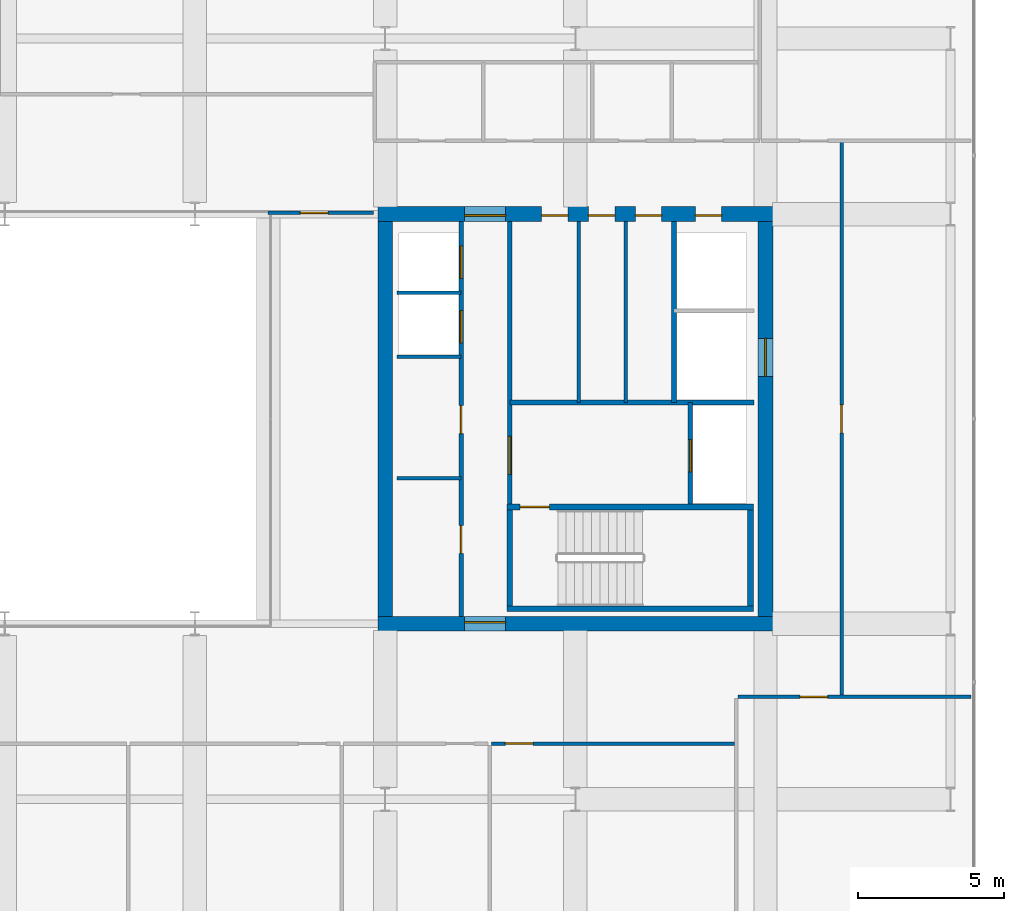
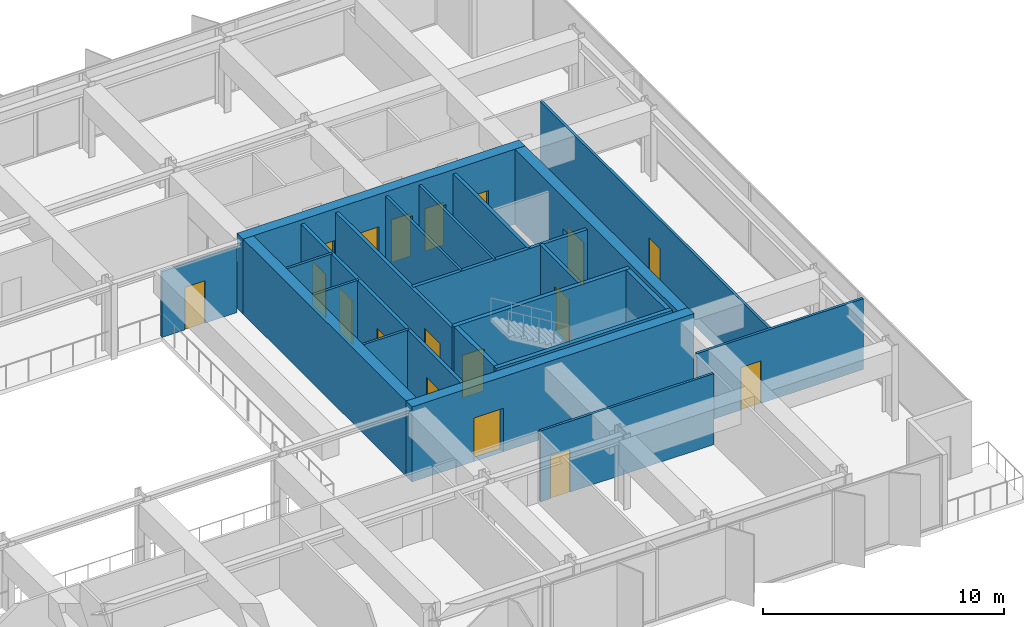
# One storey, part 18 of 24: 22 walls, 18 doors, 18 openings.
"""IFC4 building model written with IfcOpenShell, lengths in metres."""

from ifc_helpers import new_model, si_unit, direction, frame, frame_2d, origin, place, context, subcontext, project, spatial, rectangle, extrude, material, layer, layer_set, type_object, element, fill, save


model = new_model("IFC4")

# Units and contexts
model_context = context("Model", 3, precision=1e-05, world=origin(), true_north=direction((0.0, 1.0)))
body_context = subcontext(model_context, "Body", "Model", "MODEL_VIEW")
ifc_project = project(units=[si_unit("LENGTHUNIT", "METRE"), si_unit("AREAUNIT", "SQUARE_METRE"), si_unit("VOLUMEUNIT", "CUBIC_METRE"), si_unit("PLANEANGLEUNIT", "RADIAN"), si_unit("MASSUNIT", "GRAM", prefix="KILO")], contexts=[model_context])

# Site, building, storey
site_placement = place(None, origin())
site = spatial("IfcSite", under=ifc_project, at=site_placement, CompositionType="ELEMENT")
building_placement = place(site_placement, origin())
building = spatial("IfcBuilding", under=site, at=building_placement, Name="Putna Gate Headquarters", CompositionType="ELEMENT")
storey_placement = place(building_placement, frame((0.0, 0.0, 251.800048828125)))
storey = spatial("IfcBuildingStorey", under=building, at=storey_placement, Name="L63", CompositionType="ELEMENT", Elevation=251.800048828125)

# Wall, opening, door
ifc_material_1 = material(Name="Concrete C50/60", Category="concrete")
ifc_layer_1 = layer(ifc_material_1, 0.5)
ifc_layer_set_1 = layer_set([ifc_layer_1], Name="Concrete C50/60")
wall_type_1 = type_object("IfcWallType", Name="WALL-CORE-500", PredefinedType="SHEAR", material=ifc_layer_set_1)
wall_1_placement = place(storey_placement, frame((51.75, 19.0, 0.0), z_axis=(0.0, 0.0, 1.0), x_axis=(1.0, 0.0, 0.0)))
wall_1 = element("IfcWall", 1, at=wall_1_placement, inside=storey, type_object=wall_type_1, Name="L63 EC Split Core Shear Wall S", PredefinedType="SHEAR", context=body_context, shape_type="SweptSolid", body=[
    extrude(rectangle(XDim=13.5, YDim=0.5, at=frame_2d((6.75, 0.0))), origin(), (0.0, 0.0, 1.0), 3.800048828125),
])
opening_1_placement = place(wall_1_placement, frame((2.969970703125, 0.0, 0.0)))
opening_1 = element("IfcOpeningElement", 2, at=opening_1_placement, cuts=wall_1, Name="Opening FDD-140", PredefinedType="OPENING", context=body_context, shape_type="SweptSolid", body=[
    extrude(rectangle(XDim=1.39990234375, YDim=2.199951171875, at=frame_2d((0.699951171875, 1.10009765625))), frame((0.0, 0.260009765625, 0.0), z_axis=(0.0, -1.0, 0.0), x_axis=(1.0, 0.0, 0.0)), (0.0, 0.0, 1.0), 0.52001953125),
])
ifc_material_2 = material(Name="Double steel fire door", Category="steel")
door_type_1 = type_object("IfcDoorType", Name="DOOR-FIRE-DBL-1400", OperationType="DOUBLE_DOOR_SINGLE_SWING", PredefinedType="DOOR", material=ifc_material_2)
door_1_placement = place(opening_1_placement, origin())
door_1 = element("IfcDoor", 3, at=door_1_placement, inside=storey, type_object=door_type_1, Name="L63 East Lift Lobby South Door", OperationType="DOUBLE_DOOR_SINGLE_SWING", OverallHeight=2.199951171875, OverallWidth=1.39990234375, PredefinedType="DOOR", context=body_context, shape_type="SweptSolid", body=[
    extrude(rectangle(XDim=1.39990234375, YDim=2.199951171875, at=frame_2d((0.699951171875, 1.10009765625))), frame((0.0, 0.0751953125, 0.0), z_axis=(0.0, -1.0, 0.0), x_axis=(1.0, 0.0, 0.0)), (0.0, 0.0, 1.0), 0.050048828125),
])
fill(opening_1, door_1)

# Wall, openings, doors
wall_2_placement = place(storey_placement, frame((51.75, 33.0, 0.0), z_axis=(0.0, 0.0, 1.0), x_axis=(1.0, 0.0, 0.0)))
wall_2 = element("IfcWall", 4, at=wall_2_placement, inside=storey, type_object=wall_type_1, Name="L63 EC Split Core Shear Wall N", PredefinedType="SHEAR", context=body_context, shape_type="SweptSolid", body=[
    extrude(rectangle(XDim=13.5, YDim=0.5, at=frame_2d((6.75, 0.0))), origin(), (0.0, 0.0, 1.0), 3.800048828125),
])
opening_2_placement = place(wall_2_placement, frame((2.969970703125, 0.0, 0.0)))
opening_2 = element("IfcOpeningElement", 5, at=opening_2_placement, cuts=wall_2, Name="Opening FDD-140", PredefinedType="OPENING", context=body_context, shape_type="SweptSolid", body=[
    extrude(rectangle(XDim=1.39990234375, YDim=2.199951171875, at=frame_2d((0.699951171875, 1.10009765625))), frame((0.0, 0.260009765625, 0.0), z_axis=(0.0, -1.0, 0.0), x_axis=(1.0, 0.0, 0.0)), (0.0, 0.0, 1.0), 0.52001953125),
])
opening_3_placement = place(wall_2_placement, frame((10.85009765625, 0.0, 0.0)))
opening_3 = element("IfcOpeningElement", 6, at=opening_3_placement, cuts=wall_2, Name="Opening RD-90", PredefinedType="OPENING", context=body_context, shape_type="SweptSolid", body=[
    extrude(rectangle(XDim=0.89990234375, YDim=2.14990234375, at=frame_2d((0.449951171875, 1.074951171875))), frame((0.0, 0.260009765625, 0.0), z_axis=(0.0, -1.0, 0.0), x_axis=(1.0, 0.0, 0.0)), (0.0, 0.0, 1.0), 0.52001953125),
])
opening_4_placement = place(wall_2_placement, frame((5.60009765625, 0.0, 0.0)))
opening_4 = element("IfcOpeningElement", 7, at=opening_4_placement, cuts=wall_2, Name="Opening IDS-90", PredefinedType="OPENING", context=body_context, shape_type="SweptSolid", body=[
    extrude(rectangle(XDim=0.89990234375, YDim=2.14990234375, at=frame_2d((0.449951171875, 1.074951171875))), frame((0.0, 0.260009765625, 0.0), z_axis=(0.0, -1.0, 0.0), x_axis=(1.0, 0.0, 0.0)), (0.0, 0.0, 1.0), 0.52001953125),
])
opening_5_placement = place(wall_2_placement, frame((7.199951171875, 0.0, 0.0)))
opening_5 = element("IfcOpeningElement", 8, at=opening_5_placement, cuts=wall_2, Name="Opening IDS-90", PredefinedType="OPENING", context=body_context, shape_type="SweptSolid", body=[
    extrude(rectangle(XDim=0.89990234375, YDim=2.14990234375, at=frame_2d((0.449951171875, 1.074951171875))), frame((0.0, 0.260009765625, 0.0), z_axis=(0.0, -1.0, 0.0), x_axis=(1.0, 0.0, 0.0)), (0.0, 0.0, 1.0), 0.52001953125),
])
opening_6_placement = place(wall_2_placement, frame((8.800048828125, 0.0, 0.0)))
opening_6 = element("IfcOpeningElement", 9, at=opening_6_placement, cuts=wall_2, Name="Opening IDS-90", PredefinedType="OPENING", context=body_context, shape_type="SweptSolid", body=[
    extrude(rectangle(XDim=0.89990234375, YDim=2.14990234375, at=frame_2d((0.449951171875, 1.074951171875))), frame((0.0, 0.260009765625, 0.0), z_axis=(0.0, -1.0, 0.0), x_axis=(1.0, 0.0, 0.0)), (0.0, 0.0, 1.0), 0.52001953125),
])
door_2_placement = place(opening_2_placement, origin())
door_2 = element("IfcDoor", 10, at=door_2_placement, inside=storey, type_object=door_type_1, Name="L63 East Lift Lobby North Door", OperationType="DOUBLE_DOOR_SINGLE_SWING", OverallHeight=2.199951171875, OverallWidth=1.39990234375, PredefinedType="DOOR", context=body_context, shape_type="SweptSolid", body=[
    extrude(rectangle(XDim=1.39990234375, YDim=2.199951171875, at=frame_2d((0.699951171875, 1.10009765625))), frame((0.0, -0.02490234375, 0.0), z_axis=(0.0, -1.0, 0.0), x_axis=(1.0, 0.0, 0.0)), (0.0, 0.0, 1.0), 0.050048828125),
])
fill(opening_2, door_2)
ifc_material_3 = material(Name="Fire-rated utility door")
door_type_2 = type_object("IfcDoorType", Name="DOOR-INT-900", OperationType="NOTDEFINED", PredefinedType="DOOR", material=ifc_material_3)
door_3_placement = place(opening_4_placement, origin())
door_3 = element("IfcDoor", 11, at=door_3_placement, inside=storey, type_object=door_type_2, Name="L63 East Cleaner Store Door", OperationType="SINGLE_SWING_RIGHT", OverallHeight=2.14990234375, OverallWidth=0.89990234375, PredefinedType="DOOR", context=body_context, shape_type="SweptSolid", body=[
    extrude(rectangle(XDim=0.89990234375, YDim=2.14990234375, at=frame_2d((0.449951171875, 1.074951171875))), frame((0.0, -0.02490234375, 0.0), z_axis=(0.0, -1.0, 0.0), x_axis=(1.0, 0.0, 0.0)), (0.0, 0.0, 1.0), 0.050048828125),
])
fill(opening_4, door_3)
door_4_placement = place(opening_5_placement, origin())
door_4 = element("IfcDoor", 12, at=door_4_placement, inside=storey, type_object=door_type_2, Name="L63 BMS Outstation Door", OperationType="SINGLE_SWING_LEFT", OverallHeight=2.14990234375, OverallWidth=0.89990234375, PredefinedType="DOOR", context=body_context, shape_type="SweptSolid", body=[
    extrude(rectangle(XDim=0.89990234375, YDim=2.14990234375, at=frame_2d((0.449951171875, 1.074951171875))), frame((0.0, -0.02490234375, 0.0), z_axis=(0.0, -1.0, 0.0), x_axis=(1.0, 0.0, 0.0)), (0.0, 0.0, 1.0), 0.050048828125),
])
fill(opening_5, door_4)
door_5_placement = place(opening_6_placement, origin())
door_5 = element("IfcDoor", 13, at=door_5_placement, inside=storey, type_object=door_type_2, Name="L63 Facilities Equipment Store Door", OperationType="SINGLE_SWING_RIGHT", OverallHeight=2.14990234375, OverallWidth=0.89990234375, PredefinedType="DOOR", context=body_context, shape_type="SweptSolid", body=[
    extrude(rectangle(XDim=0.89990234375, YDim=2.14990234375, at=frame_2d((0.449951171875, 1.074951171875))), frame((0.0, -0.02490234375, 0.0), z_axis=(0.0, -1.0, 0.0), x_axis=(1.0, 0.0, 0.0)), (0.0, 0.0, 1.0), 0.050048828125),
])
fill(opening_6, door_5)
ifc_material_4 = material(Name="Steel riser access fire door", Category="steel")
door_type_3 = type_object("IfcDoorType", Name="DOOR-RISER-900", OperationType="NOTDEFINED", PredefinedType="DOOR", material=ifc_material_4)
door_6_placement = place(opening_3_placement, origin())
door_6 = element("IfcDoor", 14, at=door_6_placement, inside=storey, type_object=door_type_3, Name="L63 East Riser Access Door", OperationType="SINGLE_SWING_LEFT", OverallHeight=2.14990234375, OverallWidth=0.89990234375, PredefinedType="DOOR", context=body_context, shape_type="SweptSolid", body=[
    extrude(rectangle(XDim=0.89990234375, YDim=2.14990234375, at=frame_2d((0.449951171875, 1.074951171875))), frame((0.0, -0.02490234375, 0.0), z_axis=(0.0, -1.0, 0.0), x_axis=(1.0, 0.0, 0.0)), (0.0, 0.0, 1.0), 0.050048828125),
])
fill(opening_3, door_6)

# Wall
wall_3_placement = place(storey_placement, frame((52.0, 19.25, 0.0), z_axis=(0.0, 0.0, 1.0), x_axis=(0.0, 1.0, 0.0)))
element("IfcWall", 15, at=wall_3_placement, inside=storey, type_object=wall_type_1, Name="L63 EC Split Core Shear Wall W", PredefinedType="SHEAR", context=body_context, shape_type="SweptSolid", body=[
    extrude(rectangle(XDim=13.5, YDim=0.5, at=frame_2d((6.75, 0.0))), origin(), (0.0, 0.0, 1.0), 3.800048828125),
])

# Wall, opening, door
wall_4_placement = place(storey_placement, frame((65.0, 19.25, 0.0), z_axis=(0.0, 0.0, 1.0), x_axis=(0.0, 1.0, 0.0)))
wall_4 = element("IfcWall", 16, at=wall_4_placement, inside=storey, type_object=wall_type_1, Name="L63 EC Split Core Shear Wall E", PredefinedType="SHEAR", context=body_context, shape_type="SweptSolid", body=[
    extrude(rectangle(XDim=13.5, YDim=0.5, at=frame_2d((6.75, 0.0))), origin(), (0.0, 0.0, 1.0), 3.800048828125),
])
opening_7_placement = place(wall_4_placement, frame((8.199951171875, 0.0, 0.0)))
opening_7 = element("IfcOpeningElement", 17, at=opening_7_placement, cuts=wall_4, Name="Opening LD-2", PredefinedType="OPENING", context=body_context, shape_type="SweptSolid", body=[
    extrude(rectangle(XDim=1.300048828125, YDim=2.199951171875, at=frame_2d((0.64990234375, 1.10009765625))), frame((0.0, 0.260009765625, 0.0), z_axis=(0.0, -1.0, 0.0), x_axis=(1.0, 0.0, 0.0)), (0.0, 0.0, 1.0), 0.52001953125),
])
ifc_material_5 = material(Name="Heavy-duty goods lift sliding landing door")
door_type_4 = type_object("IfcDoorType", Name="DOOR-LIFT-1300", OperationType="DOUBLE_DOOR_SLIDING", PredefinedType="DOOR", material=ifc_material_5)
door_7_placement = place(opening_7_placement, origin())
door_7 = element("IfcDoor", 18, at=door_7_placement, inside=storey, type_object=door_type_4, Name="L63 Goods Lift Landing Door LD-15", OperationType="DOUBLE_DOOR_SLIDING", OverallHeight=2.199951171875, OverallWidth=1.300048828125, PredefinedType="DOOR", context=body_context, shape_type="SweptSolid", body=[
    extrude(rectangle(XDim=1.300048828125, YDim=2.199951171875, at=frame_2d((0.64990234375, 1.10009765625))), frame((0.0, 0.02490234375, 0.0), z_axis=(0.0, -1.0, 0.0), x_axis=(1.0, 0.0, 0.0)), (0.0, 0.0, 1.0), 0.050048828125),
])
fill(opening_7, door_7)

ifc_material_6 = material(Name="Acoustic gypsum board on metal stud")
ifc_layer_2 = layer(ifc_material_6, 0.1201171875)
ifc_layer_set_2 = layer_set([ifc_layer_2], Name="Acoustic gypsum board on metal stud")
wall_type_2 = type_object("IfcWallType", Name="WALL-PART-120", PredefinedType="PARTITIONING", material=ifc_layer_set_2)
wall_5_placement = place(storey_placement, frame((48.0, 33.0400390625, 0.0), z_axis=(0.0, 0.0, 1.0), x_axis=(1.0, 0.0, 0.0)))
wall_5 = element("IfcWall", 19, at=wall_5_placement, inside=storey, type_object=wall_type_2, Name="L63 Interior Wall PART-L63-ATR-E-N", PredefinedType="PARTITIONING", context=body_context, shape_type="SweptSolid", body=[
    extrude(rectangle(XDim=3.60009765625, YDim=0.1201171875, at=frame_2d((1.800048828125, 0.0))), origin(), (0.0, 0.0, 1.0), 3.327880859375),
])
opening_8_placement = place(wall_5_placement, frame((1.10009765625, 0.0, 0.0)))
opening_8 = element("IfcOpeningElement", 20, at=opening_8_placement, cuts=wall_5, Name="Opening ID-95", PredefinedType="OPENING", context=body_context, shape_type="SweptSolid", body=[
    extrude(rectangle(XDim=0.949951171875, YDim=2.14990234375, at=frame_2d((0.47509765625, 1.074951171875))), frame((0.0, 0.070068359375, 0.0), z_axis=(0.0, -1.0, 0.0), x_axis=(1.0, 0.0, 0.0)), (0.0, 0.0, 1.0), 0.14013671875),
])
ifc_material_7 = material(Name="Veneered acoustic timber door", Category="wood")
door_type_5 = type_object("IfcDoorType", Name="DOOR-OFF-950", OperationType="NOTDEFINED", PredefinedType="DOOR", material=ifc_material_7)
door_8_placement = place(opening_8_placement, origin())
door_8 = element("IfcDoor", 21, at=door_8_placement, inside=storey, type_object=door_type_5, Name="L63 East Sky Atrium Lounge Door", OperationType="SINGLE_SWING_LEFT", OverallHeight=2.14990234375, OverallWidth=0.949951171875, PredefinedType="DOOR", context=body_context, shape_type="SweptSolid", body=[
    extrude(rectangle(XDim=0.949951171875, YDim=2.14990234375, at=frame_2d((0.47509765625, 1.074951171875))), frame((0.0, 0.02490234375, 0.0), z_axis=(0.0, -1.0, 0.0), x_axis=(1.0, 0.0, 0.0)), (0.0, 0.0, 1.0), 0.050048828125),
])
fill(opening_8, door_8)

# Walls
ifc_material_8 = material(Name="Fire-rated shaftwall gypsum board on metal stud")
ifc_layer_3 = layer(ifc_material_8, 0.1201171875)
ifc_layer_set_3 = layer_set([ifc_layer_3], Name="Fire-rated shaftwall gypsum board on metal stud")
wall_type_3 = type_object("IfcWallType", Name="WALL-PART-120-EI120", PredefinedType="PARTITIONING", material=ifc_layer_set_3)
wall_6_placement = place(storey_placement, frame((52.39990234375, 30.31005859375, 0.0), z_axis=(0.0, 0.0, 1.0), x_axis=(1.0, 0.0, 0.0)))
element("IfcWall", 22, at=wall_6_placement, inside=storey, type_object=wall_type_3, Name="L63 Interior Wall CWINT-L63-EC-LF11-DIV", PredefinedType="PARTITIONING", context=body_context, shape_type="SweptSolid", body=[
    extrude(rectangle(XDim=2.2001953125, YDim=0.1201171875, at=frame_2d((1.10009765625, 0.0))), origin(), (0.0, 0.0, 1.0), 3.587890625),
])
ifc_material_9 = material(Name="Fire-rated gypsum board on metal stud")
ifc_layer_4 = layer(ifc_material_9, 0.1201171875)
ifc_layer_set_4 = layer_set([ifc_layer_4], Name="Fire-rated gypsum board on metal stud")
wall_type_4 = type_object("IfcWallType", Name="WALL-PART-120-RATED", PredefinedType="PARTITIONING", material=ifc_layer_set_4)
for number, where, z_axis, x_axis, name in (
    (23, (52.39990234375, 23.969970703125, 0.0), (0.0, 0.0, 1.0), (1.0, 0.0, 0.0), "L63 Interior Wall CWINT-L63-EC-REUSE-DIV"),
    (24, (52.39990234375, 28.1201171875, 0.0), (0.0, 0.0, 1.0), (1.0, 0.0, 0.0), "L63 Interior Wall CWINT-L63-EC-LF08-DIV"),
):
    element("IfcWall", number, at=place(storey_placement, frame(where, z_axis=z_axis, x_axis=x_axis)), inside=storey, type_object=wall_type_4, Name=name, PredefinedType="PARTITIONING", context=body_context, shape_type="SweptSolid", body=[
        extrude(rectangle(XDim=2.2001953125, YDim=0.1201171875, at=frame_2d((1.10009765625, 0.0))), origin(), (0.0, 0.0, 1.0), 3.587890625),
    ])
for number, where, z_axis, x_axis, name in (
    (25, (58.6201171875, 26.56005859375, 0.0), (0.0, 0.0, 1.0), (0.0, 1.0, 0.0), "L63 Interior Wall CWINT-L63-EC-K2-D1"),
    (26, (60.219970703125, 26.56005859375, 0.0), (0.0, 0.0, 1.0), (0.0, 1.0, 0.0), "L63 Interior Wall CWINT-L63-EC-K2-D2"),
):
    element("IfcWall", number, at=place(storey_placement, frame(where, z_axis=z_axis, x_axis=x_axis)), inside=storey, type_object=wall_type_4, Name=name, PredefinedType="PARTITIONING", context=body_context, shape_type="SweptSolid", body=[
        extrude(rectangle(XDim=6.18994140625, YDim=0.1201171875, at=frame_2d((3.094970703125, 0.0))), origin(), (0.0, 0.0, 1.0), 3.587890625),
    ])

# Wall, opening, door
wall_7_placement = place(storey_placement, frame((55.62939453125, 14.89990234375, 0.0), z_axis=(0.0, 0.0, 1.0), x_axis=(1.0, 0.0, 0.0)))
wall_7 = element("IfcWall", 27, at=wall_7_placement, inside=storey, type_object=wall_type_4, Name="L63 Interior Wall PART-L63-SB-CW-08", PredefinedType="PARTITIONING", context=body_context, shape_type="SweptSolid", body=[
    extrude(rectangle(XDim=8.313232421875, YDim=0.1201171875, at=frame_2d((4.15673828125, 0.0))), origin(), (0.0, 0.0, 1.0), 3.587890625),
])
opening_9_placement = place(wall_7_placement, frame((0.47998046875, 0.0, 0.0)))
opening_9 = element("IfcOpeningElement", 28, at=opening_9_placement, cuts=wall_7, Name="Opening FD-95", PredefinedType="OPENING", context=body_context, shape_type="SweptSolid", body=[
    extrude(rectangle(XDim=0.949951171875, YDim=2.14990234375, at=frame_2d((0.47509765625, 1.074951171875))), frame((0.0, 0.070068359375, 0.0), z_axis=(0.0, -1.0, 0.0), x_axis=(1.0, 0.0, 0.0)), (0.0, 0.0, 1.0), 0.14013671875),
])
ifc_material_10 = material(Name="Acoustic timber fire door", Category="wood")
door_type_6 = type_object("IfcDoorType", Name="DOOR-FIRE-950", OperationType="NOTDEFINED", PredefinedType="DOOR", material=ifc_material_10)
door_9_placement = place(opening_9_placement, origin())
door_9 = element("IfcDoor", 29, at=door_9_placement, inside=storey, type_object=door_type_6, Name="L63 Quiet Wellness Focus Studio 3 Door", OperationType="SINGLE_SWING_RIGHT", OverallHeight=2.14990234375, OverallWidth=0.949951171875, PredefinedType="DOOR", context=body_context, shape_type="SweptSolid", body=[
    extrude(rectangle(XDim=0.949951171875, YDim=2.14990234375, at=frame_2d((0.47509765625, 1.074951171875))), frame((0.0, 0.02490234375, 0.0), z_axis=(0.0, -1.0, 0.0), x_axis=(1.0, 0.0, 0.0)), (0.0, 0.0, 1.0), 0.050048828125),
])
fill(opening_9, door_9)

wall_8_placement = place(storey_placement, frame((64.062744140625, 16.5, 0.0), z_axis=(0.0, 0.0, 1.0), x_axis=(1.0, 0.0, 0.0)))
wall_8 = element("IfcWall", 30, at=wall_8_placement, inside=storey, type_object=wall_type_4, Name="L63 Interior Wall PART-L63-SB-CW-09", PredefinedType="PARTITIONING", context=body_context, shape_type="SweptSolid", body=[
    extrude(rectangle(XDim=7.957275390625, YDim=0.1201171875, at=frame_2d((3.978515625, 0.0))), origin(), (0.0, 0.0, 1.0), 3.587890625),
])
opening_10_placement = place(wall_8_placement, frame((2.107421875, 0.0, 0.0)))
opening_10 = element("IfcOpeningElement", 31, at=opening_10_placement, cuts=wall_8, Name="Opening FD-95", PredefinedType="OPENING", context=body_context, shape_type="SweptSolid", body=[
    extrude(rectangle(XDim=0.949951171875, YDim=2.14990234375, at=frame_2d((0.47509765625, 1.074951171875))), frame((0.0, 0.070068359375, 0.0), z_axis=(0.0, -1.0, 0.0), x_axis=(1.0, 0.0, 0.0)), (0.0, 0.0, 1.0), 0.14013671875),
])
door_10_placement = place(opening_10_placement, origin())
door_10 = element("IfcDoor", 32, at=door_10_placement, inside=storey, type_object=door_type_6, Name="L63 Cellular Office 4 Door", OperationType="SINGLE_SWING_LEFT", OverallHeight=2.14990234375, OverallWidth=0.949951171875, PredefinedType="DOOR", context=body_context, shape_type="SweptSolid", body=[
    extrude(rectangle(XDim=0.949951171875, YDim=2.14990234375, at=frame_2d((0.47509765625, 1.074951171875))), frame((0.0, 0.02490234375, 0.0), z_axis=(0.0, -1.0, 0.0), x_axis=(1.0, 0.0, 0.0)), (0.0, 0.0, 1.0), 0.050048828125),
])
fill(opening_10, door_10)

wall_9_placement = place(storey_placement, frame((67.60009765625, 16.5, 0.0), z_axis=(0.0, 0.0, 1.0), x_axis=(0.0, 1.0, 0.0)))
wall_9 = element("IfcWall", 33, at=wall_9_placement, inside=storey, type_object=wall_type_4, Name="L63 Interior Wall PART-L63-EW-CW-1", PredefinedType="PARTITIONING", context=body_context, shape_type="SweptSolid", body=[
    extrude(rectangle(XDim=19.0, YDim=0.1201171875, at=frame_2d((9.5, 0.0))), origin(), (0.0, 0.0, 1.0), 3.587890625),
])
opening_11_placement = place(wall_9_placement, frame((9.02490234375, 0.0, 0.0)))
opening_11 = element("IfcOpeningElement", 34, at=opening_11_placement, cuts=wall_9, Name="Opening FD-95", PredefinedType="OPENING", context=body_context, shape_type="SweptSolid", body=[
    extrude(rectangle(XDim=0.949951171875, YDim=2.14990234375, at=frame_2d((0.47509765625, 1.074951171875))), frame((0.0, 0.070068359375, 0.0), z_axis=(0.0, -1.0, 0.0), x_axis=(1.0, 0.0, 0.0)), (0.0, 0.0, 1.0), 0.14013671875),
])
door_11_placement = place(opening_11_placement, origin())
door_11 = element("IfcDoor", 35, at=door_11_placement, inside=storey, type_object=door_type_6, Name="L63 East Horizon Conference Room 1 Door", OperationType="SINGLE_SWING_RIGHT", OverallHeight=2.14990234375, OverallWidth=0.949951171875, PredefinedType="DOOR", context=body_context, shape_type="SweptSolid", body=[
    extrude(rectangle(XDim=0.949951171875, YDim=2.14990234375, at=frame_2d((0.47509765625, 1.074951171875))), frame((0.0, 0.02490234375, 0.0), z_axis=(0.0, -1.0, 0.0), x_axis=(1.0, 0.0, 0.0)), (0.0, 0.0, 1.0), 0.050048828125),
])
fill(opening_11, door_11)

# Wall, openings, doors
ifc_material_11 = material(Name="Concrete C40/50", Category="concrete")
ifc_layer_5 = layer(ifc_material_11, 0.159912109375)
ifc_layer_set_5 = layer_set([ifc_layer_5], Name="Concrete C40/50")
wall_type_5 = type_object("IfcWallType", Name="WALL-SHAFT-160", PredefinedType="STANDARD", material=ifc_layer_set_5)
wall_10_placement = place(storey_placement, frame((54.60009765625, 19.25, 0.0), z_axis=(0.0, 0.0, 1.0), x_axis=(0.0, 1.0, 0.0)))
wall_10 = element("IfcWall", 36, at=wall_10_placement, inside=storey, type_object=wall_type_5, Name="L63 Interior Wall CWINT-L63-EC-PL-WALL", PredefinedType="STANDARD", context=body_context, shape_type="SweptSolid", body=[
    extrude(rectangle(XDim=13.5, YDim=0.159912109375, at=frame_2d((6.75, 0.0))), origin(), (0.0, 0.0, 1.0), 3.587890625),
])
opening_12_placement = place(wall_10_placement, frame((2.14990234375, 0.0, 0.0)))
opening_12 = element("IfcOpeningElement", 37, at=opening_12_placement, cuts=wall_10, Name="Opening IDS-95", PredefinedType="OPENING", context=body_context, shape_type="SweptSolid", body=[
    extrude(rectangle(XDim=0.949951171875, YDim=2.14990234375, at=frame_2d((0.47509765625, 1.074951171875))), frame((0.0, 0.08984375, 0.0), z_axis=(0.0, -1.0, 0.0), x_axis=(1.0, 0.0, 0.0)), (0.0, 0.0, 1.0), 0.179931640625),
])
opening_13_placement = place(wall_10_placement, frame((6.25, 0.0, 0.0)))
opening_13 = element("IfcOpeningElement", 38, at=opening_13_placement, cuts=wall_10, Name="Opening IDS-95", PredefinedType="OPENING", context=body_context, shape_type="SweptSolid", body=[
    extrude(rectangle(XDim=0.949951171875, YDim=2.14990234375, at=frame_2d((0.47509765625, 1.074951171875))), frame((0.0, 0.08984375, 0.0), z_axis=(0.0, -1.0, 0.0), x_axis=(1.0, 0.0, 0.0)), (0.0, 0.0, 1.0), 0.179931640625),
])
opening_14_placement = place(wall_10_placement, frame((9.35009765625, 0.0, 0.0)))
opening_14 = element("IfcOpeningElement", 39, at=opening_14_placement, cuts=wall_10, Name="Opening LD-1", PredefinedType="OPENING", context=body_context, shape_type="SweptSolid", body=[
    extrude(rectangle(XDim=1.10009765625, YDim=2.199951171875, at=frame_2d((0.550048828125, 1.10009765625))), frame((0.0, 0.08984375, 0.0), z_axis=(0.0, -1.0, 0.0), x_axis=(1.0, 0.0, 0.0)), (0.0, 0.0, 1.0), 0.179931640625),
])
opening_15_placement = place(wall_10_placement, frame((11.550048828125, 0.0, 0.0)))
opening_15 = element("IfcOpeningElement", 40, at=opening_15_placement, cuts=wall_10, Name="Opening LD-1", PredefinedType="OPENING", context=body_context, shape_type="SweptSolid", body=[
    extrude(rectangle(XDim=1.10009765625, YDim=2.199951171875, at=frame_2d((0.550048828125, 1.10009765625))), frame((0.0, 0.08984375, 0.0), z_axis=(0.0, -1.0, 0.0), x_axis=(1.0, 0.0, 0.0)), (0.0, 0.0, 1.0), 0.179931640625),
])
ifc_material_12 = material(Name="Fire-rated service timber door", Category="wood")
door_type_7 = type_object("IfcDoorType", Name="DOOR-INT-950", OperationType="NOTDEFINED", PredefinedType="DOOR", material=ifc_material_12)
door_12_placement = place(opening_12_placement, origin())
door_12 = element("IfcDoor", 41, at=door_12_placement, inside=storey, type_object=door_type_7, Name="L63 Executive Archive Door", OperationType="SINGLE_SWING_RIGHT", OverallHeight=2.14990234375, OverallWidth=0.949951171875, PredefinedType="DOOR", context=body_context, shape_type="SweptSolid", body=[
    extrude(rectangle(XDim=0.949951171875, YDim=2.14990234375, at=frame_2d((0.47509765625, 1.074951171875))), frame((0.0, 0.02490234375, 0.0), z_axis=(0.0, -1.0, 0.0), x_axis=(1.0, 0.0, 0.0)), (0.0, 0.0, 1.0), 0.050048828125),
])
fill(opening_12, door_12)
door_13_placement = place(opening_13_placement, origin())
door_13 = element("IfcDoor", 42, at=door_13_placement, inside=storey, type_object=door_type_7, Name="L63 Comms Distribution Door", OperationType="SINGLE_SWING_LEFT", OverallHeight=2.14990234375, OverallWidth=0.949951171875, PredefinedType="DOOR", context=body_context, shape_type="SweptSolid", body=[
    extrude(rectangle(XDim=0.949951171875, YDim=2.14990234375, at=frame_2d((0.47509765625, 1.074951171875))), frame((0.0, 0.02490234375, 0.0), z_axis=(0.0, -1.0, 0.0), x_axis=(1.0, 0.0, 0.0)), (0.0, 0.0, 1.0), 0.050048828125),
])
fill(opening_13, door_13)
ifc_material_13 = material(Name="Brushed bronze stainless lift landing door")
door_type_8 = type_object("IfcDoorType", Name="DOOR-LIFT-1100", OperationType="DOUBLE_DOOR_SLIDING", PredefinedType="DOOR", material=ifc_material_13)
door_14_placement = place(opening_14_placement, origin())
door_14 = element("IfcDoor", 43, at=door_14_placement, inside=storey, type_object=door_type_8, Name="L63 Lift Landing Door LD-11", OperationType="DOUBLE_DOOR_SLIDING", OverallHeight=2.199951171875, OverallWidth=1.10009765625, PredefinedType="DOOR", context=body_context, shape_type="SweptSolid", body=[
    extrude(rectangle(XDim=1.10009765625, YDim=2.199951171875, at=frame_2d((0.550048828125, 1.10009765625))), frame((0.0, 0.02490234375, 0.0), z_axis=(0.0, -1.0, 0.0), x_axis=(1.0, 0.0, 0.0)), (0.0, 0.0, 1.0), 0.050048828125),
])
fill(opening_14, door_14)
door_15_placement = place(opening_15_placement, origin())
door_15 = element("IfcDoor", 44, at=door_15_placement, inside=storey, type_object=door_type_8, Name="L63 Lift Landing Door LD-12", OperationType="DOUBLE_DOOR_SLIDING", OverallHeight=2.199951171875, OverallWidth=1.10009765625, PredefinedType="DOOR", context=body_context, shape_type="SweptSolid", body=[
    extrude(rectangle(XDim=1.10009765625, YDim=2.199951171875, at=frame_2d((0.550048828125, 1.10009765625))), frame((0.0, 0.02490234375, 0.0), z_axis=(0.0, -1.0, 0.0), x_axis=(1.0, 0.0, 0.0)), (0.0, 0.0, 1.0), 0.050048828125),
])
fill(opening_15, door_15)

# Wall, opening, door
wall_11_placement = place(storey_placement, frame((56.260009765625, 23.090087890625, 0.0), z_axis=(0.0, 0.0, 1.0), x_axis=(0.0, 1.0, 0.0)))
wall_11 = element("IfcWall", 45, at=wall_11_placement, inside=storey, type_object=wall_type_5, Name="L63 Interior Wall CWINT-L63-EC-LOB-E", PredefinedType="STANDARD", context=body_context, shape_type="SweptSolid", body=[
    extrude(rectangle(XDim=9.659912109375, YDim=0.159912109375, at=frame_2d((4.830078125, 0.0))), origin(), (0.0, 0.0, 1.0), 3.587890625),
])
opening_16_placement = place(wall_11_placement, frame((1.010009765625, 0.0, 0.0)))
opening_16 = element("IfcOpeningElement", 46, at=opening_16_placement, cuts=wall_11, Name="Opening FDD-130", PredefinedType="OPENING", context=body_context, shape_type="SweptSolid", body=[
    extrude(rectangle(XDim=1.300048828125, YDim=2.199951171875, at=frame_2d((0.64990234375, 1.10009765625))), frame((0.0, 0.08984375, 0.0), z_axis=(0.0, -1.0, 0.0), x_axis=(1.0, 0.0, 0.0)), (0.0, 0.0, 1.0), 0.179931640625),
])
ifc_material_14 = material(Name="Double steel lobby fire door", Category="steel")
door_type_9 = type_object("IfcDoorType", Name="DOOR-FIRE-DBL-1300", OperationType="DOUBLE_DOOR_SINGLE_SWING", PredefinedType="DOOR", material=ifc_material_14)
door_16_placement = place(opening_16_placement, origin())
door_16 = element("IfcDoor", 47, at=door_16_placement, inside=storey, type_object=door_type_9, Name="L63 East Firefighting Lobby Door", OperationType="DOUBLE_DOOR_SINGLE_SWING", OverallHeight=2.199951171875, OverallWidth=1.300048828125, PredefinedType="DOOR", context=body_context, shape_type="SweptSolid", body=[
    extrude(rectangle(XDim=1.300048828125, YDim=2.199951171875, at=frame_2d((0.64990234375, 1.10009765625))), frame((0.0, 0.02490234375, 0.0), z_axis=(0.0, -1.0, 0.0), x_axis=(1.0, 0.0, 0.0)), (0.0, 0.0, 1.0), 0.050048828125),
])
fill(opening_16, door_16)

wall_12_placement = place(storey_placement, frame((62.429931640625, 23.090087890625, 0.0), z_axis=(0.0, 0.0, 1.0), x_axis=(0.0, 1.0, 0.0)))
wall_12 = element("IfcWall", 48, at=wall_12_placement, inside=storey, type_object=wall_type_5, Name="L63 Interior Wall CWINT-L63-EC-LF14-W", PredefinedType="STANDARD", context=body_context, shape_type="SweptSolid", body=[
    extrude(rectangle(XDim=3.469970703125, YDim=0.159912109375, at=frame_2d((1.73486328125, 0.0))), origin(), (0.0, 0.0, 1.0), 3.587890625),
])
opening_17_placement = place(wall_12_placement, frame((1.10009765625, 0.0, 0.0)))
opening_17 = element("IfcOpeningElement", 49, at=opening_17_placement, cuts=wall_12, Name="Opening LD-1", PredefinedType="OPENING", context=body_context, shape_type="SweptSolid", body=[
    extrude(rectangle(XDim=1.10009765625, YDim=2.199951171875, at=frame_2d((0.550048828125, 1.10009765625))), frame((0.0, 0.08984375, 0.0), z_axis=(0.0, -1.0, 0.0), x_axis=(1.0, 0.0, 0.0)), (0.0, 0.0, 1.0), 0.179931640625),
])
door_17_placement = place(opening_17_placement, origin())
door_17 = element("IfcDoor", 50, at=door_17_placement, inside=storey, type_object=door_type_8, Name="L63 Lift Landing Door LD-14", OperationType="DOUBLE_DOOR_SLIDING", OverallHeight=2.199951171875, OverallWidth=1.10009765625, PredefinedType="DOOR", context=body_context, shape_type="SweptSolid", body=[
    extrude(rectangle(XDim=1.10009765625, YDim=2.199951171875, at=frame_2d((0.550048828125, 1.10009765625))), frame((0.0, 0.02490234375, 0.0), z_axis=(0.0, -1.0, 0.0), x_axis=(1.0, 0.0, 0.0)), (0.0, 0.0, 1.0), 0.050048828125),
])
fill(opening_17, door_17)

# Walls
wall_13_placement = place(storey_placement, frame((56.260009765625, 26.56005859375, 0.0), z_axis=(0.0, 0.0, 1.0), x_axis=(1.0, 0.0, 0.0)))
element("IfcWall", 51, at=wall_13_placement, inside=storey, type_object=wall_type_5, Name="L63 Interior Wall CWINT-L63-EC-FFL-N", PredefinedType="STANDARD", context=body_context, shape_type="SweptSolid", body=[
    extrude(rectangle(XDim=8.340087890625, YDim=0.159912109375, at=frame_2d((4.169921875, 0.0))), origin(), (0.0, 0.0, 1.0), 3.587890625),
])
wall_14_placement = place(storey_placement, frame((61.8701171875, 26.56005859375, 0.0), z_axis=(0.0, 0.0, 1.0), x_axis=(0.0, 1.0, 0.0)))
element("IfcWall", 52, at=wall_14_placement, inside=storey, type_object=wall_type_5, Name="L63 Interior Wall CWINT-L63-EC-LF15-W", PredefinedType="STANDARD", context=body_context, shape_type="SweptSolid", body=[
    extrude(rectangle(XDim=6.18994140625, YDim=0.159912109375, at=frame_2d((3.094970703125, 0.0))), origin(), (0.0, 0.0, 1.0), 3.587890625),
])
ifc_layer_6 = layer(ifc_material_11, 0.199951171875)
ifc_layer_set_6 = layer_set([ifc_layer_6], Name="Concrete C40/50")
wall_type_6 = type_object("IfcWallType", Name="WALL-SHAFT-RC200", PredefinedType="SHEAR", material=ifc_layer_set_6)
wall_15_placement = place(storey_placement, frame((56.159912109375, 19.510009765625, 0.0), z_axis=(0.0, 0.0, 1.0), x_axis=(1.0, 0.0, 0.0)))
element("IfcWall", 53, at=wall_15_placement, inside=storey, type_object=wall_type_6, Name="L63 Stair ST2 Structural Shaft Wall S", PredefinedType="SHEAR", context=body_context, shape_type="SweptSolid", body=[
    extrude(rectangle(XDim=8.43017578125, YDim=0.199951171875, at=frame_2d((4.215087890625, 0.0))), origin(), (0.0, 0.0, 1.0), 3.800048828125),
])

# Wall, opening, door
wall_16_placement = place(storey_placement, frame((56.159912109375, 22.989990234375, 0.0), z_axis=(0.0, 0.0, 1.0), x_axis=(1.0, 0.0, 0.0)))
wall_16 = element("IfcWall", 54, at=wall_16_placement, inside=storey, type_object=wall_type_6, Name="L63 Stair ST2 Structural Shaft Wall N", PredefinedType="SHEAR", context=body_context, shape_type="SweptSolid", body=[
    extrude(rectangle(XDim=8.43017578125, YDim=0.199951171875, at=frame_2d((4.215087890625, 0.0))), origin(), (0.0, 0.0, 1.0), 3.800048828125),
])
opening_18_placement = place(wall_16_placement, frame((0.449951171875, 0.0, 0.0)))
opening_18 = element("IfcOpeningElement", 55, at=opening_18_placement, cuts=wall_16, Name="Opening FD-100", PredefinedType="OPENING", context=body_context, shape_type="SweptSolid", body=[
    extrude(rectangle(XDim=1.0, YDim=2.14990234375, at=frame_2d((0.5, 1.074951171875))), frame((0.0, 0.10986328125, 0.0), z_axis=(0.0, -1.0, 0.0), x_axis=(1.0, 0.0, 0.0)), (0.0, 0.0, 1.0), 0.219970703125),
])
ifc_material_15 = material(Name="Powder-coated steel fire door", Category="steel")
door_type_10 = type_object("IfcDoorType", Name="DOOR-FIRE-1000", OperationType="NOTDEFINED", PredefinedType="DOOR", material=ifc_material_15)
door_18_placement = place(opening_18_placement, origin())
door_18 = element("IfcDoor", 56, at=door_18_placement, inside=storey, type_object=door_type_10, Name="L63 Stair ST2 Fire Door", OperationType="SINGLE_SWING_RIGHT", OverallHeight=2.14990234375, OverallWidth=1.0, PredefinedType="DOOR", context=body_context, shape_type="SweptSolid", body=[
    extrude(rectangle(XDim=1.0, YDim=2.14990234375, at=frame_2d((0.5, 1.074951171875))), frame((0.0, 0.02490234375, 0.0), z_axis=(0.0, -1.0, 0.0), x_axis=(1.0, 0.0, 0.0)), (0.0, 0.0, 1.0), 0.050048828125),
])
fill(opening_18, door_18)

# Walls
for number, where, z_axis, x_axis, name in (
    (57, (56.260009765625, 19.610107421875, 0.0), (0.0, 0.0, 1.0), (0.0, 1.0, 0.0), "L63 Stair ST2 Structural Shaft Wall W"),
    (58, (64.489990234375, 19.610107421875, 0.0), (0.0, 0.0, 1.0), (0.0, 1.0, 0.0), "L63 Stair ST2 Structural Shaft Wall E"),
):
    element("IfcWall", number, at=place(storey_placement, frame(where, z_axis=z_axis, x_axis=x_axis)), inside=storey, type_object=wall_type_6, Name=name, PredefinedType="SHEAR", context=body_context, shape_type="SweptSolid", body=[
        extrude(rectangle(XDim=3.27978515625, YDim=0.199951171875, at=frame_2d((1.639892578125, 0.0))), origin(), (0.0, 0.0, 1.0), 3.800048828125),
    ])

save(model, "model.ifc")
